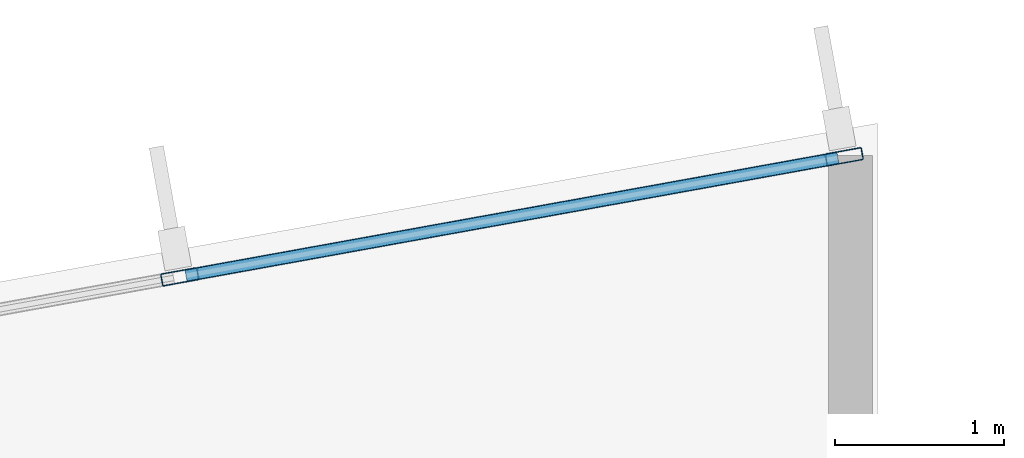
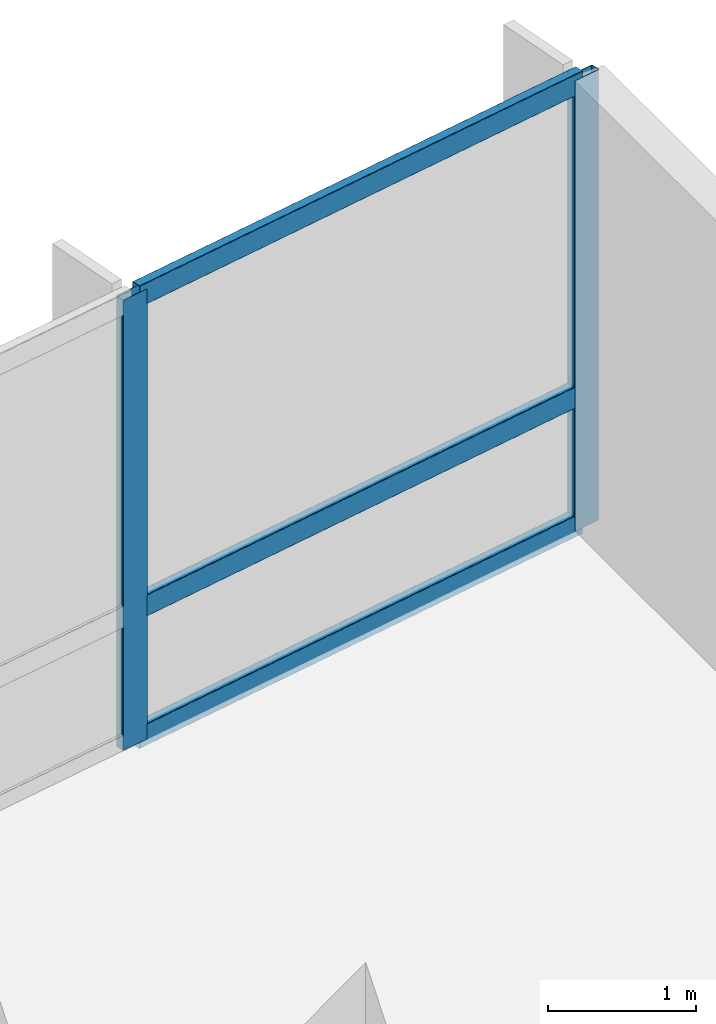
# One storey, part 8 of 18: 5 members, 1 element without a shape of its own.
"""IFC4 building model written with IfcOpenShell, lengths in metres."""

import ifcopenshell
import ifcopenshell.guid

model = None  # the IFC model being written
_history = None  # IfcOwnerHistory: only IFC2X3 demands one
_inside = {}  # id of a spatial element -> (the spatial element, [elements in it])
_under = {}  # id of a project, library or spatial element -> (it, [spatial elements below it])
_declared = {}  # id of a project -> (the project, [libraries it declares])
_typed = {}  # id of a type object -> (the type object, [elements of that type])
_made_of = {}  # id of a material, layer set ... -> (it, [elements and type objects made of it])


def new_model(schema):
    """Start an empty IFC model of exactly this schema.

    Asked for "IFC4X3", IfcOpenShell would pick the latest addendum, in which some entities
    have other attributes; the version numbers below select the first issue.
    IFC2X3 requires an IfcOwnerHistory on every rooted entity: one is made here for all.
    """
    global model, _history
    if schema == "IFC4X3":
        model = ifcopenshell.file(schema_version=(4, 3, 0, 0))
    else:
        model = ifcopenshell.file(schema=schema)
    _inside.clear()
    _under.clear()
    _declared.clear()
    _typed.clear()
    _made_of.clear()
    _history = None
    if model.schema == "IFC2X3":
        org = make("IfcOrganization", Name="unknown")
        user = make(
            "IfcPersonAndOrganization",
            ThePerson=make("IfcPerson", FamilyName="unknown"),
            TheOrganization=org,
        )
        app = make(
            "IfcApplication",
            ApplicationDeveloper=org,
            Version="unknown",
            ApplicationFullName="unknown",
            ApplicationIdentifier="unknown",
        )
        _history = make(
            "IfcOwnerHistory",
            OwningUser=user,
            OwningApplication=app,
            ChangeAction="ADDED",
            CreationDate=0,
        )
    return model


def make(cls, **values):
    """One entity of the class cls with the attributes given. An attribute that is None is left unset."""
    return model.create_entity(
        cls, **{name: value for name, value in values.items() if value is not None}
    )


def rooted(cls, **values):
    """An entity with a GlobalId (a new one), such as an element, a storey or a relation."""
    return make(cls, GlobalId=ifcopenshell.guid.new(), OwnerHistory=_history, **values)


def si_unit(unit_type, name, prefix=None):
    """IfcSIUnit, for example si_unit("LENGTHUNIT", "METRE", prefix="MILLI")."""
    return make("IfcSIUnit", UnitType=unit_type, Prefix=prefix, Name=name)


def assignment(units):
    """IfcUnitAssignment: the units of a project."""
    return None if units is None else make("IfcUnitAssignment", Units=units)


def point(xyz):
    """IfcCartesianPoint."""
    return None if xyz is None else make("IfcCartesianPoint", Coordinates=xyz)


def direction(xyz):
    """IfcDirection."""
    return None if xyz is None else make("IfcDirection", DirectionRatios=xyz)


def frame(location, z_axis=None, x_axis=None):
    """IfcAxis2Placement3D, a coordinate frame: its origin and axes. An axis left out is left unset."""
    return make(
        "IfcAxis2Placement3D",
        Location=point(location),
        Axis=direction(z_axis),
        RefDirection=direction(x_axis),
    )


def frame_2d(location, x_axis=None):
    """IfcAxis2Placement2D, a coordinate frame in the plane: its origin and x axis."""
    return make(
        "IfcAxis2Placement2D", Location=point(location), RefDirection=direction(x_axis)
    )


def origin():
    """The frame at (0, 0, 0) with its axes left unset."""
    return frame((0.0, 0.0, 0.0))


def origin_2d():
    """The frame at (0, 0) in the plane with its x axis left unset."""
    return frame_2d((0.0, 0.0))


def place(relative_to, where):
    """IfcLocalPlacement: puts the frame where relative to a parent placement (None: the world)."""
    return make(
        "IfcLocalPlacement", PlacementRelTo=relative_to, RelativePlacement=where
    )


def context(
    kind, dimensions, precision=None, world=None, true_north=None, identifier=None
):
    """IfcGeometricRepresentationContext, for example the 3D "Model" context."""
    return make(
        "IfcGeometricRepresentationContext",
        ContextIdentifier=identifier,
        ContextType=kind,
        CoordinateSpaceDimension=dimensions,
        Precision=precision,
        WorldCoordinateSystem=world,
        TrueNorth=true_north,
    )


def subcontext(parent, identifier, kind, view, scale=None):
    """IfcGeometricRepresentationSubContext, for example "Body" below "Model"."""
    return make(
        "IfcGeometricRepresentationSubContext",
        ContextIdentifier=identifier,
        ContextType=kind,
        ParentContext=parent,
        TargetScale=scale,
        TargetView=view,
    )


def project(units=None, contexts=None):
    """IfcProject with its units and contexts."""
    return rooted(
        "IfcProject",
        Name="project",
        RepresentationContexts=contexts,
        UnitsInContext=assignment(units),
    )


def spatial(cls, under=None, at=None, **own):
    """A site, building, storey or space (cls), placed at a placement, below another one or the project."""
    s = rooted(cls, ObjectPlacement=at, **own)
    if under is not None:
        _under.setdefault(under.id(), (under, []))[1].append(s)
    return s


def profile(cls, at=None, kind="AREA", **sizes):
    """A parametric profile (cls). Its sizes go by their IFC names, for example OverallWidth=200.0."""
    return make(cls, ProfileType=kind, Position=at, **sizes)


def hollow_rectangle(**sizes):
    """IfcRectangleHollowProfileDef."""
    return profile("IfcRectangleHollowProfileDef", **sizes)


def extrude(swept, where, along, depth):
    """IfcExtrudedAreaSolid: the profile swept, set in the frame where, extruded along a direction by depth."""
    return make(
        "IfcExtrudedAreaSolid",
        SweptArea=swept,
        Position=where,
        ExtrudedDirection=direction(along),
        Depth=depth,
    )


def shape(context_of_items, identifier, shape_type, items):
    """IfcShapeRepresentation: the items that make up one representation, for example the "Body"."""
    return make(
        "IfcShapeRepresentation",
        ContextOfItems=context_of_items,
        RepresentationIdentifier=identifier,
        RepresentationType=shape_type,
        Items=items,
    )


def material(Name=None, Category=None):
    """IfcMaterial."""
    return make("IfcMaterial", Name=Name, Category=Category)


def layer(
    of_material, thickness, ventilated=None, Name=None, Category=None, Priority=None
):
    """IfcMaterialLayer: one layer of a wall or slab, of a material (None: an air gap)."""
    return make(
        "IfcMaterialLayer",
        Material=of_material,
        LayerThickness=thickness,
        IsVentilated=ventilated,
        Name=Name,
        Category=Category,
        Priority=Priority,
    )


def layer_set(layers, Name=None):
    """IfcMaterialLayerSet."""
    return make("IfcMaterialLayerSet", MaterialLayers=layers, LayerSetName=Name)


def material_profile(
    of_material, cross_section, Name=None, Category=None, Priority=None
):
    """IfcMaterialProfile: a cross section and its material."""
    return make(
        "IfcMaterialProfile",
        Name=Name,
        Material=of_material,
        Profile=cross_section,
        Priority=Priority,
        Category=Category,
    )


def profile_set(profiles, Name=None, composite=None):
    """IfcMaterialProfileSet."""
    return make(
        "IfcMaterialProfileSet",
        Name=Name,
        MaterialProfiles=profiles,
        CompositeProfile=composite,
    )


def made_of(thing, what):
    """Note that an element or type object is made of a material, layer set ...; save() writes the relation."""
    if what is not None:
        _made_of.setdefault(what.id(), (what, []))[1].append(thing)
    return thing


def type_object(cls, material=None, **own):
    """A type object (cls), such as IfcWallType, which elements share."""
    return made_of(rooted(cls, **own), material)


def element(
    cls,
    number,
    at=None,
    inside=None,
    cuts=None,
    type_object=None,
    material=None,
    context=None,
    identifier="Body",
    shape_type=None,
    held_by="IfcProductDefinitionShape",
    body=None,
    shapes=None,
    **own,
):
    """One element of the class cls, such as IfcWall. Its Tag is "e" and its number.

    at: its placement. inside: the storey or other place that contains it. cuts: it is an
    opening in that element (IfcRelVoidsElement). A single representation is given by context,
    identifier, shape_type and body (its items); several are given by shapes. held_by: the class
    of the entity that holds the representations. save() writes the other relations.
    """
    e = rooted(cls, Tag="e%d" % number, ObjectPlacement=at, **own)
    if body is not None:
        shapes = [shape(context, identifier, shape_type, body)]
    if shapes is not None:
        e.Representation = make(held_by, Representations=shapes)
    if inside is not None:
        _inside.setdefault(inside.id(), (inside, []))[1].append(e)
    if cuts is not None:
        rooted(
            "IfcRelVoidsElement", RelatingBuildingElement=cuts, RelatedOpeningElement=e
        )
    if type_object is not None:
        _typed.setdefault(type_object.id(), (type_object, []))[1].append(e)
    return made_of(e, material)


def aggregate(whole, parts):
    """IfcRelAggregates: a whole, such as a stair, and the parts it consists of."""
    return rooted("IfcRelAggregates", RelatingObject=whole, RelatedObjects=parts)


def save(model, path):
    """Write the relations noted so far, then the file.

    IfcRelAggregates (storeys below a building ...), IfcRelContainedInSpatialStructure (elements
    in a storey), IfcRelDefinesByType, IfcRelAssociatesMaterial and IfcRelDeclares: one each for
    every whole, place, type object, material and project.
    """
    for whole, parts in _under.values():
        aggregate(whole, parts)
    for where, things in _inside.values():
        rooted(
            "IfcRelContainedInSpatialStructure",
            RelatedElements=things,
            RelatingStructure=where,
        )
    for kind, things in _typed.values():
        rooted("IfcRelDefinesByType", RelatedObjects=things, RelatingType=kind)
    for what, things in _made_of.values():
        rooted("IfcRelAssociatesMaterial", RelatedObjects=things, RelatingMaterial=what)
    for by, libraries in _declared.values():
        rooted("IfcRelDeclares", RelatingContext=by, RelatedDefinitions=libraries)
    model.write(path)


model = new_model("IFC4")

# Units and contexts
model_context = context("Model", 3, precision=1e-05, world=origin(), true_north=direction((0.0, 1.0)))
body_context = subcontext(model_context, "Body", "Model", "MODEL_VIEW")
ifc_project = project(units=[si_unit("LENGTHUNIT", "METRE"), si_unit("AREAUNIT", "SQUARE_METRE"), si_unit("VOLUMEUNIT", "CUBIC_METRE"), si_unit("PLANEANGLEUNIT", "RADIAN"), si_unit("MASSUNIT", "GRAM", prefix="KILO")], contexts=[model_context])

# Site, building, storey
site_placement = place(None, origin())
site = spatial("IfcSite", under=ifc_project, at=site_placement, CompositionType="ELEMENT")
building_placement = place(site_placement, origin())
building = spatial("IfcBuilding", under=site, at=building_placement, Name="Varnakote Quay Hospital", CompositionType="ELEMENT")
storey_placement = place(building_placement, frame((0.0, 0.0, 73.85009765625)))
storey = spatial("IfcBuildingStorey", under=building, at=storey_placement, Name="L18", CompositionType="ELEMENT", Elevation=73.85009765625)

# Curtain wall, members
ifc_material_1 = material(Name="Anodised aluminium 6063-T6 Bronze", Category="aluminium")
ifc_layer = layer(ifc_material_1, 0.18994140625)
ifc_layer_set = layer_set([ifc_layer], Name="Anodised aluminium 6063-T6 Bronze")
curtain_wall_type = type_object("IfcCurtainWallType", Name="CW-SYS-2", PredefinedType="NOTDEFINED", material=ifc_layer_set)
curtain_wall_placement = place(storey_placement, origin())
curtain_wall = element("IfcCurtainWall", 1, at=curtain_wall_placement, inside=storey, type_object=curtain_wall_type, Name="L18 Unitised Bronze Curtain Wall 1", PredefinedType="NOTDEFINED")
ifc_material_2 = material(Name="Anodised aluminium 6063-T6 Bronze", Category="aluminium")
ifc_material_profile_1 = material_profile(ifc_material_2, hollow_rectangle(XDim=0.074951171875, YDim=0.219970703125, WallThickness=0.00439453125, InnerFilletRadius=0.00439453125, OuterFilletRadius=0.009033203125, at=origin_2d()), Name="CW-MULL-220x75")
ifc_profile_set_1 = profile_set([ifc_material_profile_1], Name="Anodised aluminium 6063-T6 Bronze")
member_type_1 = type_object("IfcMemberType", Name="CW-MULL-220x75", PredefinedType="MULLION", material=ifc_profile_set_1)
member_1_placement = place(storey_placement, frame((55.403076171875, 34.201904296875, 0.0), z_axis=(0.0, 0.0, 1.0), x_axis=(0.177846199098, -0.984058295766, 0.0)))
member_1 = element("IfcMember", 2, at=member_1_placement, type_object=member_type_1, Name="-2-L18-1 mullion 1", PredefinedType="MULLION", context=body_context, shape_type="SweptSolid", body=[
    extrude(hollow_rectangle(XDim=0.074951171875, YDim=0.219970703125, WallThickness=0.00439453125, InnerFilletRadius=0.00439453125, OuterFilletRadius=0.009033203125, at=origin_2d()), origin(), (0.0, 0.0, 1.0), 3.7099609375),
])
member_2_placement = place(storey_placement, frame((51.477294921875, 33.492431640625, 0.0), z_axis=(0.0, 0.0, 1.0), x_axis=(0.177846199098, -0.984058295766, 0.0)))
member_2 = element("IfcMember", 3, at=member_2_placement, type_object=member_type_1, Name="-2-L18-1 mullion 2", PredefinedType="MULLION", context=body_context, shape_type="SweptSolid", body=[
    extrude(hollow_rectangle(XDim=0.074951171875, YDim=0.219970703125, WallThickness=0.00439453125, InnerFilletRadius=0.00439453125, OuterFilletRadius=0.009033203125, at=origin_2d()), origin(), (0.0, 0.0, 1.0), 3.7099609375),
])
ifc_material_3 = material(Name="Anodised aluminium 6063-T6 Bronze", Category="aluminium")
ifc_material_profile_2 = material_profile(ifc_material_3, hollow_rectangle(XDim=0.074951171875, YDim=0.179931640625, WallThickness=0.004150390625, InnerFilletRadius=0.004150390625, OuterFilletRadius=0.00830078125, at=origin_2d()), Name="CW-TRAN-180x75")
ifc_profile_set_2 = profile_set([ifc_material_profile_2], Name="Anodised aluminium 6063-T6 Bronze")
member_type_2 = type_object("IfcMemberType", Name="CW-TRAN-180x75", PredefinedType="USERDEFINED", material=ifc_profile_set_2)
member_3_placement = place(storey_placement, frame((55.3662109375, 34.195068359375, 0.037353515625), z_axis=(-0.984061948229, -0.177825988109, 0.0), x_axis=(0.177825988109, -0.984061948229, 0.0)))
member_3 = element("IfcMember", 4, at=member_3_placement, type_object=member_type_2, Name="-2-L18-1 transom 1.1", ObjectType="TRANSOM", PredefinedType="USERDEFINED", context=body_context, shape_type="SweptSolid", body=[
    extrude(hollow_rectangle(XDim=0.074951171875, YDim=0.179931640625, WallThickness=0.004150390625, InnerFilletRadius=0.004150390625, OuterFilletRadius=0.00830078125, at=origin_2d()), origin(), (0.0, 0.0, 1.0), 3.914306640625),
])
member_4_placement = place(storey_placement, frame((55.3662109375, 34.195068359375, 1.099853515625), z_axis=(-0.984061948229, -0.177825988109, 0.0), x_axis=(0.177825988109, -0.984061948229, 0.0)))
member_4 = element("IfcMember", 5, at=member_4_placement, type_object=member_type_2, Name="-2-L18-1 transom 1.2", ObjectType="TRANSOM", PredefinedType="USERDEFINED", context=body_context, shape_type="SweptSolid", body=[
    extrude(hollow_rectangle(XDim=0.074951171875, YDim=0.179931640625, WallThickness=0.004150390625, InnerFilletRadius=0.004150390625, OuterFilletRadius=0.00830078125, at=origin_2d()), origin(), (0.0, 0.0, 1.0), 3.914306640625),
])
member_5_placement = place(storey_placement, frame((55.3662109375, 34.195068359375, 3.67236328125), z_axis=(-0.984061948229, -0.177825988109, 0.0), x_axis=(0.177825988109, -0.984061948229, 0.0)))
member_5 = element("IfcMember", 6, at=member_5_placement, type_object=member_type_2, Name="-2-L18-1 transom 1.3", ObjectType="TRANSOM", PredefinedType="USERDEFINED", context=body_context, shape_type="SweptSolid", body=[
    extrude(hollow_rectangle(XDim=0.074951171875, YDim=0.179931640625, WallThickness=0.004150390625, InnerFilletRadius=0.004150390625, OuterFilletRadius=0.00830078125, at=origin_2d()), origin(), (0.0, 0.0, 1.0), 3.914306640625),
])
aggregate(curtain_wall, [member_1, member_2, member_3, member_4, member_5])

save(model, "model.ifc")
